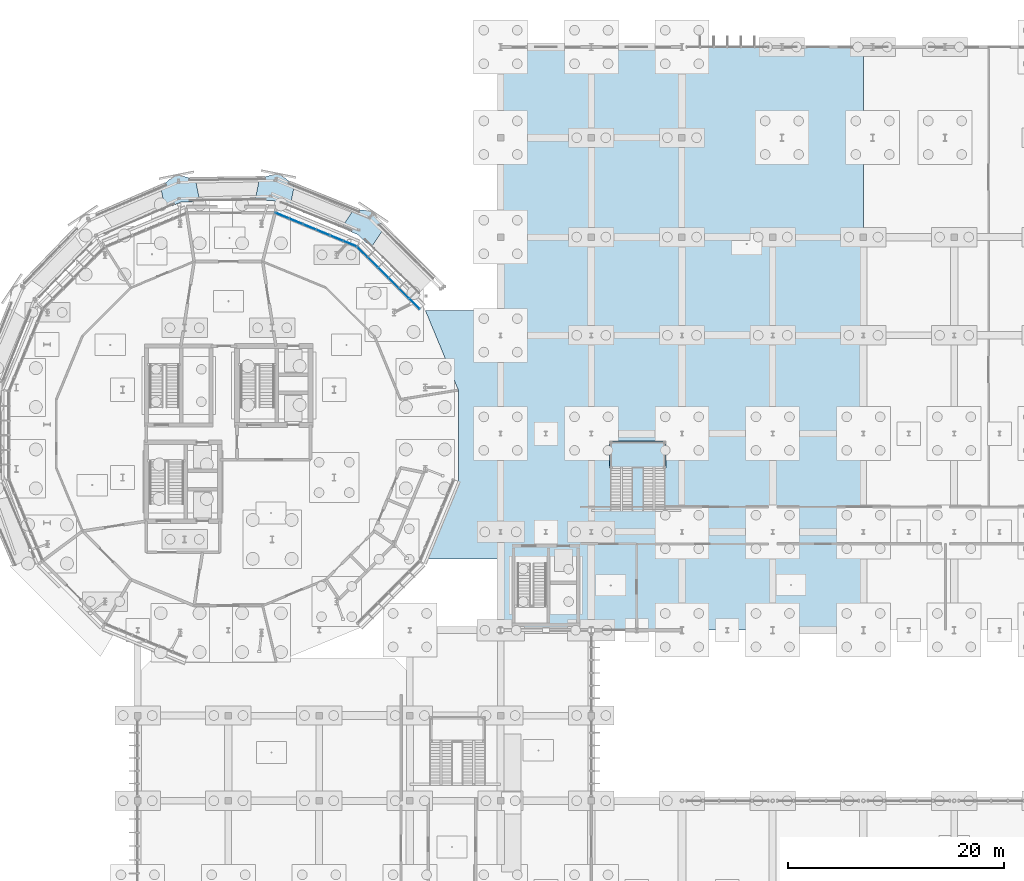
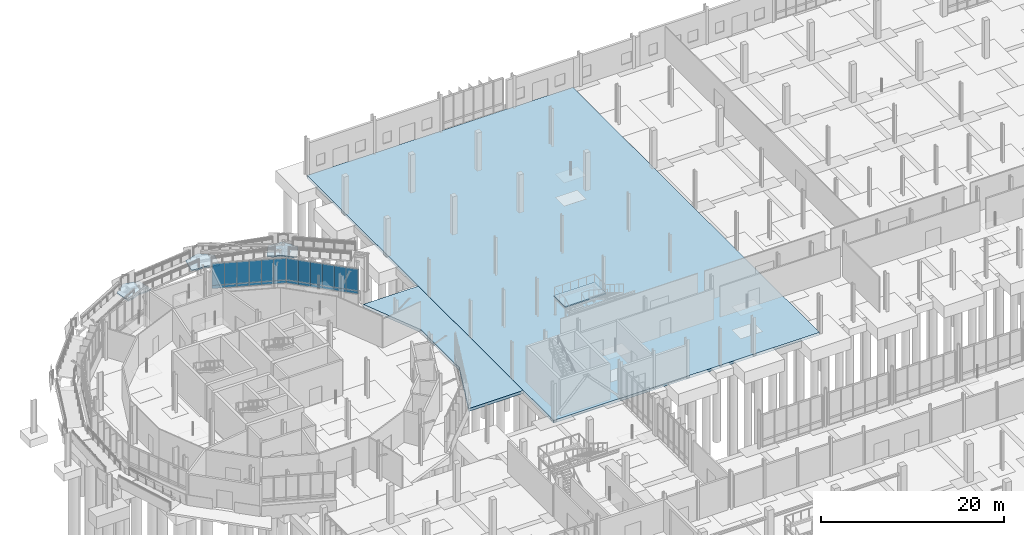
# One storey, part 70 of 119: 24 plates, 6 slabs, 4 elements without a shape of their own.
"""IFC4 building model written with IfcOpenShell, lengths in metres."""

from ifc_helpers import new_model, si_unit, derived_unit, direction, frame, origin, origin_2d, place, context, subcontext, project, spatial, polyline, rectangle, outline, extrude, material, layer, layer_set, type_object, element, aggregate, save


model = new_model("IFC4")

# Units and contexts
model_context = context("Model", 3, precision=1e-05, world=origin(), true_north=direction((0.0, 1.0)))
body_context = subcontext(model_context, "Body", "Model", "MODEL_VIEW")
ifc_project = project(units=[si_unit("LENGTHUNIT", "METRE"), si_unit("AREAUNIT", "SQUARE_METRE"), si_unit("VOLUMEUNIT", "CUBIC_METRE"), si_unit("PLANEANGLEUNIT", "RADIAN"), si_unit("MASSUNIT", "GRAM", prefix="KILO"), derived_unit("THERMALTRANSMITTANCEUNIT", [(si_unit("MASSUNIT", "GRAM", prefix="KILO"), 1), (si_unit("TIMEUNIT", "SECOND"), -3), (si_unit("THERMODYNAMICTEMPERATUREUNIT", "KELVIN"), -1)])], contexts=[model_context])

# Site, building, storey
site_placement = place(None, origin())
site = spatial("IfcSite", under=ifc_project, at=site_placement, CompositionType="ELEMENT")
building_placement = place(site_placement, origin())
building = spatial("IfcBuilding", under=site, at=building_placement, Name="Makaiwela Harbour Ferry Terminal", CompositionType="ELEMENT")
storey_placement = place(building_placement, origin())
storey = spatial("IfcBuildingStorey", under=building, at=storey_placement, Name="L00", CompositionType="ELEMENT", Elevation=0.0)

# Curtain wall, plates
ifc_material_1 = material(Name="Marine anodised aluminium 6063-T6", Category="aluminium")
ifc_layer_1 = layer(ifc_material_1, 0.199951171875)
ifc_layer_set_1 = layer_set([ifc_layer_1], Name="Marine anodised aluminium 6063-T6")
curtain_wall_type = type_object("IfcCurtainWallType", Name="ENV-CW-01", PredefinedType="USERDEFINED", material=ifc_layer_set_1)
curtain_wall_1_placement = place(storey_placement, origin())
curtain_wall_1 = element("IfcCurtainWall", 1, at=curtain_wall_1_placement, inside=storey, type_object=curtain_wall_type, Name="Unitised Curtain Wall CWA-001", ObjectType="UNITIZED CURTAIN WALL", PredefinedType="USERDEFINED")
ifc_material_2 = material(Name="Laminated hurricane-impact low-E insulated glazing", Category="glass")
ifc_layer_2 = layer(ifc_material_2, 0.031982421875)
ifc_layer_set_2 = layer_set([ifc_layer_2], Name="Laminated hurricane-impact low-E insulated glazing")
plate_type_1 = type_object("IfcPlateType", Name="CW-PNL-G02", PredefinedType="CURTAIN_PANEL", material=ifc_layer_set_2)
plate_1_placement = place(storey_placement, frame((55.010498046875, 79.617431640625, 1.900146484375), z_axis=(0.0, 0.0, 1.0), x_axis=(-0.707106781187, 0.707106781187, 0.0)))
plate_1 = element("IfcPlate", 2, at=plate_1_placement, type_object=plate_type_1, Name="Glazed Vision Panel CWA-001-1G", PredefinedType="CURTAIN_PANEL", context=body_context, shape_type="SweptSolid", body=[
    extrude(rectangle(XDim=1.355712890625, YDim=0.031982421875, at=origin_2d()), origin(), (0.0, 0.0, 1.0), 2.919921875),
])
plate_2_placement = place(storey_placement, frame((54.0517578125, 80.576171875, 1.900146484375), z_axis=(0.0, 0.0, 1.0), x_axis=(-0.707106781187, 0.707106781187, 0.0)))
plate_2 = element("IfcPlate", 3, at=plate_2_placement, type_object=plate_type_1, Name="Glazed Vision Panel CWA-001-2G", PredefinedType="CURTAIN_PANEL", context=body_context, shape_type="SweptSolid", body=[
    extrude(rectangle(XDim=1.355712890625, YDim=0.031982421875, at=origin_2d()), origin(), (0.0, 0.0, 1.0), 2.919921875),
])
plate_3_placement = place(storey_placement, frame((53.09326171875, 81.53466796875, 1.900146484375), z_axis=(0.0, 0.0, 1.0), x_axis=(-0.707106781187, 0.707106781187, 0.0)))
plate_3 = element("IfcPlate", 4, at=plate_3_placement, type_object=plate_type_1, Name="Glazed Vision Panel CWA-001-3G", PredefinedType="CURTAIN_PANEL", context=body_context, shape_type="SweptSolid", body=[
    extrude(rectangle(XDim=1.355712890625, YDim=0.031982421875, at=origin_2d()), origin(), (0.0, 0.0, 1.0), 2.919921875),
])
plate_4_placement = place(storey_placement, frame((52.134765625, 82.4931640625, 1.900146484375), z_axis=(0.0, 0.0, 1.0), x_axis=(-0.707106781187, 0.707106781187, 0.0)))
plate_4 = element("IfcPlate", 5, at=plate_4_placement, type_object=plate_type_1, Name="Glazed Vision Panel CWA-001-4G", PredefinedType="CURTAIN_PANEL", context=body_context, shape_type="SweptSolid", body=[
    extrude(rectangle(XDim=1.355712890625, YDim=0.031982421875, at=origin_2d()), origin(), (0.0, 0.0, 1.0), 2.919921875),
])
plate_5_placement = place(storey_placement, frame((51.176025390625, 83.451904296875, 1.900146484375), z_axis=(0.0, 0.0, 1.0), x_axis=(-0.707106781187, 0.707106781187, 0.0)))
plate_5 = element("IfcPlate", 6, at=plate_5_placement, type_object=plate_type_1, Name="Glazed Vision Panel CWA-001-5G", PredefinedType="CURTAIN_PANEL", context=body_context, shape_type="SweptSolid", body=[
    extrude(rectangle(XDim=1.355712890625, YDim=0.031982421875, at=origin_2d()), origin(), (0.0, 0.0, 1.0), 2.919921875),
])
plate_6_placement = place(storey_placement, frame((50.217529296875, 84.410400390625, 1.900146484375), z_axis=(0.0, 0.0, 1.0), x_axis=(-0.707106781187, 0.707106781187, 0.0)))
plate_6 = element("IfcPlate", 7, at=plate_6_placement, type_object=plate_type_1, Name="Glazed Vision Panel CWA-001-6G", PredefinedType="CURTAIN_PANEL", context=body_context, shape_type="SweptSolid", body=[
    extrude(rectangle(XDim=1.355712890625, YDim=0.031982421875, at=origin_2d()), origin(), (0.0, 0.0, 1.0), 2.919921875),
])

curtain_wall_2_placement = place(storey_placement, origin())
curtain_wall_2 = element("IfcCurtainWall", 8, at=curtain_wall_2_placement, inside=storey, type_object=curtain_wall_type, Name="Unitised Curtain Wall CWA-002", ObjectType="UNITIZED CURTAIN WALL", PredefinedType="USERDEFINED")
plate_7_placement = place(storey_placement, frame((49.06298828125, 85.181884765625, 1.900146484375), z_axis=(0.0, 0.0, 1.0), x_axis=(-0.923879532511, 0.382683432365, 0.0)))
plate_7 = element("IfcPlate", 9, at=plate_7_placement, type_object=plate_type_1, Name="Glazed Vision Panel CWA-002-1G", PredefinedType="CURTAIN_PANEL", context=body_context, shape_type="SweptSolid", body=[
    extrude(rectangle(XDim=1.355712890625, YDim=0.031982421875, at=origin_2d()), origin(), (0.0, 0.0, 1.0), 2.919921875),
])
plate_8_placement = place(storey_placement, frame((47.810546875, 85.700439453125, 1.900146484375), z_axis=(0.0, 0.0, 1.0), x_axis=(-0.923879532511, 0.382683432365, 0.0)))
plate_8 = element("IfcPlate", 10, at=plate_8_placement, type_object=plate_type_1, Name="Glazed Vision Panel CWA-002-2G", PredefinedType="CURTAIN_PANEL", context=body_context, shape_type="SweptSolid", body=[
    extrude(rectangle(XDim=1.355712890625, YDim=0.031982421875, at=origin_2d()), origin(), (0.0, 0.0, 1.0), 2.919921875),
])
plate_9_placement = place(storey_placement, frame((46.55810546875, 86.21923828125, 1.900146484375), z_axis=(0.0, 0.0, 1.0), x_axis=(-0.923879532511, 0.382683432365, 0.0)))
plate_9 = element("IfcPlate", 11, at=plate_9_placement, type_object=plate_type_1, Name="Glazed Vision Panel CWA-002-3G", PredefinedType="CURTAIN_PANEL", context=body_context, shape_type="SweptSolid", body=[
    extrude(rectangle(XDim=1.355712890625, YDim=0.031982421875, at=origin_2d()), origin(), (0.0, 0.0, 1.0), 2.919921875),
])
plate_10_placement = place(storey_placement, frame((45.3056640625, 86.738037109375, 1.900146484375), z_axis=(0.0, 0.0, 1.0), x_axis=(-0.923879532511, 0.382683432365, 0.0)))
plate_10 = element("IfcPlate", 12, at=plate_10_placement, type_object=plate_type_1, Name="Glazed Vision Panel CWA-002-4G", PredefinedType="CURTAIN_PANEL", context=body_context, shape_type="SweptSolid", body=[
    extrude(rectangle(XDim=1.355712890625, YDim=0.031982421875, at=origin_2d()), origin(), (0.0, 0.0, 1.0), 2.919921875),
])
plate_11_placement = place(storey_placement, frame((44.05322265625, 87.2568359375, 1.900146484375), z_axis=(0.0, 0.0, 1.0), x_axis=(-0.923879532511, 0.382683432365, 0.0)))
plate_11 = element("IfcPlate", 13, at=plate_11_placement, type_object=plate_type_1, Name="Glazed Vision Panel CWA-002-5G", PredefinedType="CURTAIN_PANEL", context=body_context, shape_type="SweptSolid", body=[
    extrude(rectangle(XDim=1.355712890625, YDim=0.031982421875, at=origin_2d()), origin(), (0.0, 0.0, 1.0), 2.919921875),
])
plate_12_placement = place(storey_placement, frame((42.80078125, 87.775634765625, 1.900146484375), z_axis=(0.0, 0.0, 1.0), x_axis=(-0.923879532511, 0.382683432365, 0.0)))
plate_12 = element("IfcPlate", 14, at=plate_12_placement, type_object=plate_type_1, Name="Glazed Vision Panel CWA-002-6G", PredefinedType="CURTAIN_PANEL", context=body_context, shape_type="SweptSolid", body=[
    extrude(rectangle(XDim=1.355712890625, YDim=0.031982421875, at=origin_2d()), origin(), (0.0, 0.0, 1.0), 2.919921875),
])

# Plate
ifc_material_3 = material(Name="Insulated marine aluminium spandrel panel", Category="aluminium")
ifc_layer_3 = layer(ifc_material_3, 0.048095703125)
ifc_layer_set_3 = layer_set([ifc_layer_3], Name="Insulated marine aluminium spandrel panel")
plate_type_2 = type_object("IfcPlateType", Name="CW-PNL-S01", PredefinedType="CURTAIN_PANEL", material=ifc_layer_set_3)
plate_13_placement = place(storey_placement, frame((55.010498046875, 79.617431640625, 1.47998046875), z_axis=(0.0, 0.0, 1.0), x_axis=(-0.707106781187, 0.707106781187, 0.0)))
plate_13 = element("IfcPlate", 15, at=plate_13_placement, type_object=plate_type_2, Name="Spandrel Panel CWA-001-1S", PredefinedType="CURTAIN_PANEL", context=body_context, shape_type="SweptSolid", body=[
    extrude(rectangle(XDim=1.355712890625, YDim=0.048095703125, at=origin_2d()), origin(), (0.0, 0.0, 1.0), 0.419921875),
])

plate_14_placement = place(storey_placement, frame((54.0517578125, 80.576171875, 1.47998046875), z_axis=(0.0, 0.0, 1.0), x_axis=(-0.707106781187, 0.707106781187, 0.0)))
plate_14 = element("IfcPlate", 16, at=plate_14_placement, type_object=plate_type_2, Name="Spandrel Panel CWA-001-2S", PredefinedType="CURTAIN_PANEL", context=body_context, shape_type="SweptSolid", body=[
    extrude(rectangle(XDim=1.355712890625, YDim=0.048095703125, at=origin_2d()), origin(), (0.0, 0.0, 1.0), 0.419921875),
])

plate_15_placement = place(storey_placement, frame((53.09326171875, 81.53466796875, 1.47998046875), z_axis=(0.0, 0.0, 1.0), x_axis=(-0.707106781187, 0.707106781187, 0.0)))
plate_15 = element("IfcPlate", 17, at=plate_15_placement, type_object=plate_type_2, Name="Spandrel Panel CWA-001-3S", PredefinedType="CURTAIN_PANEL", context=body_context, shape_type="SweptSolid", body=[
    extrude(rectangle(XDim=1.355712890625, YDim=0.048095703125, at=origin_2d()), origin(), (0.0, 0.0, 1.0), 0.419921875),
])

plate_16_placement = place(storey_placement, frame((52.134765625, 82.4931640625, 1.47998046875), z_axis=(0.0, 0.0, 1.0), x_axis=(-0.707106781187, 0.707106781187, 0.0)))
plate_16 = element("IfcPlate", 18, at=plate_16_placement, type_object=plate_type_2, Name="Spandrel Panel CWA-001-4S", PredefinedType="CURTAIN_PANEL", context=body_context, shape_type="SweptSolid", body=[
    extrude(rectangle(XDim=1.355712890625, YDim=0.048095703125, at=origin_2d()), origin(), (0.0, 0.0, 1.0), 0.419921875),
])

plate_17_placement = place(storey_placement, frame((51.176025390625, 83.451904296875, 1.47998046875), z_axis=(0.0, 0.0, 1.0), x_axis=(-0.707106781187, 0.707106781187, 0.0)))
plate_17 = element("IfcPlate", 19, at=plate_17_placement, type_object=plate_type_2, Name="Spandrel Panel CWA-001-5S", PredefinedType="CURTAIN_PANEL", context=body_context, shape_type="SweptSolid", body=[
    extrude(rectangle(XDim=1.355712890625, YDim=0.048095703125, at=origin_2d()), origin(), (0.0, 0.0, 1.0), 0.419921875),
])

plate_18_placement = place(storey_placement, frame((50.217529296875, 84.410400390625, 1.47998046875), z_axis=(0.0, 0.0, 1.0), x_axis=(-0.707106781187, 0.707106781187, 0.0)))
plate_18 = element("IfcPlate", 20, at=plate_18_placement, type_object=plate_type_2, Name="Spandrel Panel CWA-001-6S", PredefinedType="CURTAIN_PANEL", context=body_context, shape_type="SweptSolid", body=[
    extrude(rectangle(XDim=1.355712890625, YDim=0.048095703125, at=origin_2d()), origin(), (0.0, 0.0, 1.0), 0.419921875),
])

aggregate(curtain_wall_1, [plate_13, plate_1, plate_14, plate_2, plate_15, plate_3, plate_16, plate_4, plate_17, plate_5, plate_18, plate_6])

plate_19_placement = place(storey_placement, frame((49.06298828125, 85.181884765625, 1.47998046875), z_axis=(0.0, 0.0, 1.0), x_axis=(-0.923879532511, 0.382683432365, 0.0)))
plate_19 = element("IfcPlate", 21, at=plate_19_placement, type_object=plate_type_2, Name="Spandrel Panel CWA-002-1S", PredefinedType="CURTAIN_PANEL", context=body_context, shape_type="SweptSolid", body=[
    extrude(rectangle(XDim=1.355712890625, YDim=0.048095703125, at=origin_2d()), origin(), (0.0, 0.0, 1.0), 0.419921875),
])

plate_20_placement = place(storey_placement, frame((47.810546875, 85.700439453125, 1.47998046875), z_axis=(0.0, 0.0, 1.0), x_axis=(-0.923879532511, 0.382683432365, 0.0)))
plate_20 = element("IfcPlate", 22, at=plate_20_placement, type_object=plate_type_2, Name="Spandrel Panel CWA-002-2S", PredefinedType="CURTAIN_PANEL", context=body_context, shape_type="SweptSolid", body=[
    extrude(rectangle(XDim=1.355712890625, YDim=0.048095703125, at=origin_2d()), origin(), (0.0, 0.0, 1.0), 0.419921875),
])

plate_21_placement = place(storey_placement, frame((46.55810546875, 86.21923828125, 1.47998046875), z_axis=(0.0, 0.0, 1.0), x_axis=(-0.923879532511, 0.382683432365, 0.0)))
plate_21 = element("IfcPlate", 23, at=plate_21_placement, type_object=plate_type_2, Name="Spandrel Panel CWA-002-3S", PredefinedType="CURTAIN_PANEL", context=body_context, shape_type="SweptSolid", body=[
    extrude(rectangle(XDim=1.355712890625, YDim=0.048095703125, at=origin_2d()), origin(), (0.0, 0.0, 1.0), 0.419921875),
])

plate_22_placement = place(storey_placement, frame((45.3056640625, 86.738037109375, 1.47998046875), z_axis=(0.0, 0.0, 1.0), x_axis=(-0.923879532511, 0.382683432365, 0.0)))
plate_22 = element("IfcPlate", 24, at=plate_22_placement, type_object=plate_type_2, Name="Spandrel Panel CWA-002-4S", PredefinedType="CURTAIN_PANEL", context=body_context, shape_type="SweptSolid", body=[
    extrude(rectangle(XDim=1.355712890625, YDim=0.048095703125, at=origin_2d()), origin(), (0.0, 0.0, 1.0), 0.419921875),
])

plate_23_placement = place(storey_placement, frame((44.05322265625, 87.2568359375, 1.47998046875), z_axis=(0.0, 0.0, 1.0), x_axis=(-0.923879532511, 0.382683432365, 0.0)))
plate_23 = element("IfcPlate", 25, at=plate_23_placement, type_object=plate_type_2, Name="Spandrel Panel CWA-002-5S", PredefinedType="CURTAIN_PANEL", context=body_context, shape_type="SweptSolid", body=[
    extrude(rectangle(XDim=1.355712890625, YDim=0.048095703125, at=origin_2d()), origin(), (0.0, 0.0, 1.0), 0.419921875),
])

plate_24_placement = place(storey_placement, frame((42.80078125, 87.775634765625, 1.47998046875), z_axis=(0.0, 0.0, 1.0), x_axis=(-0.923879532511, 0.382683432365, 0.0)))
plate_24 = element("IfcPlate", 26, at=plate_24_placement, type_object=plate_type_2, Name="Spandrel Panel CWA-002-6S", PredefinedType="CURTAIN_PANEL", context=body_context, shape_type="SweptSolid", body=[
    extrude(rectangle(XDim=1.355712890625, YDim=0.048095703125, at=origin_2d()), origin(), (0.0, 0.0, 1.0), 0.419921875),
])

aggregate(curtain_wall_2, [plate_19, plate_7, plate_20, plate_8, plate_21, plate_9, plate_22, plate_10, plate_23, plate_11, plate_24, plate_12])

# Slabs
ifc_material_4 = material(Name="Concrete f'c 35 MPa (5000 psi)", Category="concrete")
ifc_layer_4 = layer(ifc_material_4, 0.360107421875)
ifc_layer_set_4 = layer_set([ifc_layer_4], Name="Concrete f'c 35 MPa (5000 psi)")
slab_type_1 = type_object("IfcSlabType", Name="SLB-BASE-360", PredefinedType="BASESLAB", material=ifc_layer_set_4)
slab_1_placement = place(storey_placement, frame((0.0, 0.0, -0.360107421875)))
element("IfcSlab", 27, at=slab_1_placement, inside=storey, type_object=slab_type_1, Name="Slab SLB-005", PredefinedType="BASESLAB", context=body_context, shape_type="SweptSolid", body=[
    extrude(outline(polyline([(63.001953125, 79.0), (63.0, 55.998046875), (63.0, 49.402099609375), (71.402099609375, 49.39990234375), (96.60009765625, 49.39990234375), (96.60009765625, 103.39990234375), (63.0, 103.39990234375), (63.001953125, 79.0)])), origin(), (0.0, 0.0, 1.0), 0.360107421875),
])
ifc_layer_5 = layer(ifc_material_4, 0.3798828125)
ifc_layer_set_5 = layer_set([ifc_layer_5], Name="Concrete f'c 35 MPa (5000 psi)")
slab_type_2 = type_object("IfcSlabType", Name="SLB-BASE-380", PredefinedType="BASESLAB", material=ifc_layer_set_5)
slab_2_placement = place(storey_placement, frame((0.0, 0.0, -0.3798828125)))
element("IfcSlab", 28, at=slab_2_placement, inside=storey, type_object=slab_type_2, Name="Slab SLB-002", PredefinedType="BASESLAB", context=body_context, shape_type="SweptSolid", body=[
    extrude(outline(polyline([(56.039306640625, 79.0), (59.08984375, 71.634765625), (59.089599609375, 63.264404296875), (56.08056640625, 56.0), (63.0, 56.0), (63.0, 79.0), (56.039306640625, 79.0)])), origin(), (0.0, 0.0, 1.0), 0.3798828125),
])

# Stair, slab
stair_type = type_object("IfcStairType", Name="CIR-STR-A10", PredefinedType="STRAIGHT_RUN_STAIR", material=ifc_material_4)
stair_placement = place(storey_placement, origin())
stair = element("IfcStair", 29, at=stair_placement, inside=storey, type_object=stair_type, Name="Stair ST-08-L00", PredefinedType="STRAIGHT_RUN_STAIR")
ifc_layer_6 = layer(ifc_material_4, 0.14990234375)
ifc_layer_set_6 = layer_set([ifc_layer_6], Name="Concrete f'c 35 MPa (5000 psi)")
slab_type_3 = type_object("IfcSlabType", Name="SLB-LND-150", PredefinedType="LANDING", material=ifc_layer_set_6)
slab_3_placement = place(storey_placement, frame((0.0, 0.0, 2.39990234375)))
slab_3 = element("IfcSlab", 30, at=slab_3_placement, type_object=slab_type_3, Name="Stair Half Landing LND-24", PredefinedType="LANDING", context=body_context, shape_type="SweptSolid", body=[
    extrude(outline(polyline([(73.10009765625, 64.409912109375), (78.300048828125, 64.409912109375), (78.300048828125, 66.89990234375), (73.10009765625, 66.89990234375), (73.10009765625, 64.409912109375)])), origin(), (0.0, 0.0, 1.0), 0.150146484375),
])
aggregate(stair, [slab_3])

# Ramp, slabs
ramp_type = type_object("IfcRampType", Name="CIR-RMP-ASSY", PredefinedType="STRAIGHT_RUN_RAMP", material=ifc_material_4)
ramp_placement = place(storey_placement, origin())
ramp = element("IfcRamp", 31, at=ramp_placement, inside=storey, type_object=ramp_type, Name="External Coiled Promenade Ramp L00 to L01", PredefinedType="STRAIGHT_RUN_RAMP")
ifc_layer_7 = layer(ifc_material_4, 0.169921875)
ifc_layer_set_7 = layer_set([ifc_layer_7], Name="Concrete f'c 35 MPa (5000 psi)")
slab_type_4 = type_object("IfcSlabType", Name="SLB-LND-170", PredefinedType="LANDING", material=ifc_layer_set_7)
slab_4_placement = place(storey_placement, frame((0.0, 0.0, 3.017578125)))
slab_4 = element("IfcSlab", 32, at=slab_4_placement, type_object=slab_type_4, Name="Promenade Ramp Landing RMP-COIL-L00-L5", PredefinedType="LANDING", context=body_context, shape_type="SweptSolid", body=[
    extrude(outline(polyline([(32.569580078125, 88.68701171875), (33.47900390625, 89.063720703125), (33.47900390625, 89.063720703125), (33.479248046875, 89.06396484375), (33.4794921875, 89.06396484375), (33.479736328125, 89.06396484375), (34.4638671875, 89.06396484375), (35.135009765625, 89.197509765625), (34.756591796875, 91.10009765625), (32.968505859375, 91.631591796875), (31.52001953125, 90.456298828125), (31.8984375, 88.5537109375), (32.569580078125, 88.68701171875)])), origin(), (0.0, 0.0, 1.0), 0.169921875),
])
slab_5_placement = place(storey_placement, frame((0.0, 0.0, 3.655029296875)))
slab_5 = element("IfcSlab", 33, at=slab_5_placement, type_object=slab_type_4, Name="Promenade Ramp Landing RMP-COIL-L00-L6", PredefinedType="LANDING", context=body_context, shape_type="SweptSolid", body=[
    extrude(outline(polyline([(40.963134765625, 89.1787109375), (41.947509765625, 89.1787109375), (41.94775390625, 89.1787109375), (41.947998046875, 89.1787109375), (41.947998046875, 89.1787109375), (41.9482421875, 89.178466796875), (42.857666015625, 88.802001953125), (43.52880859375, 88.66845703125), (43.9072265625, 90.5712890625), (42.45849609375, 91.746337890625), (40.670654296875, 91.215087890625), (40.2919921875, 89.312255859375), (40.963134765625, 89.1787109375)])), origin(), (0.0, 0.0, 1.0), 0.169921875),
])
slab_6_placement = place(storey_placement, frame((0.0, 0.0, 4.29248046875)))
slab_6 = element("IfcSlab", 34, at=slab_6_placement, type_object=slab_type_4, Name="Promenade Ramp Landing RMP-COIL-L00-L7", PredefinedType="LANDING", context=body_context, shape_type="SweptSolid", body=[
    extrude(outline(polyline([(48.912841796875, 86.388671875), (49.822021484375, 86.01220703125), (49.822021484375, 86.01220703125), (49.822265625, 86.011962890625), (49.822509765625, 86.01171875), (49.822509765625, 86.01171875), (50.5185546875, 85.31591796875), (51.08740234375, 84.935546875), (52.165283203125, 86.548583984375), (51.276611328125, 88.188720703125), (49.42138671875, 88.382080078125), (48.34375, 86.76904296875), (48.912841796875, 86.388671875)])), origin(), (0.0, 0.0, 1.0), 0.169921875),
])
aggregate(ramp, [slab_4, slab_5, slab_6])

save(model, "model.ifc")
